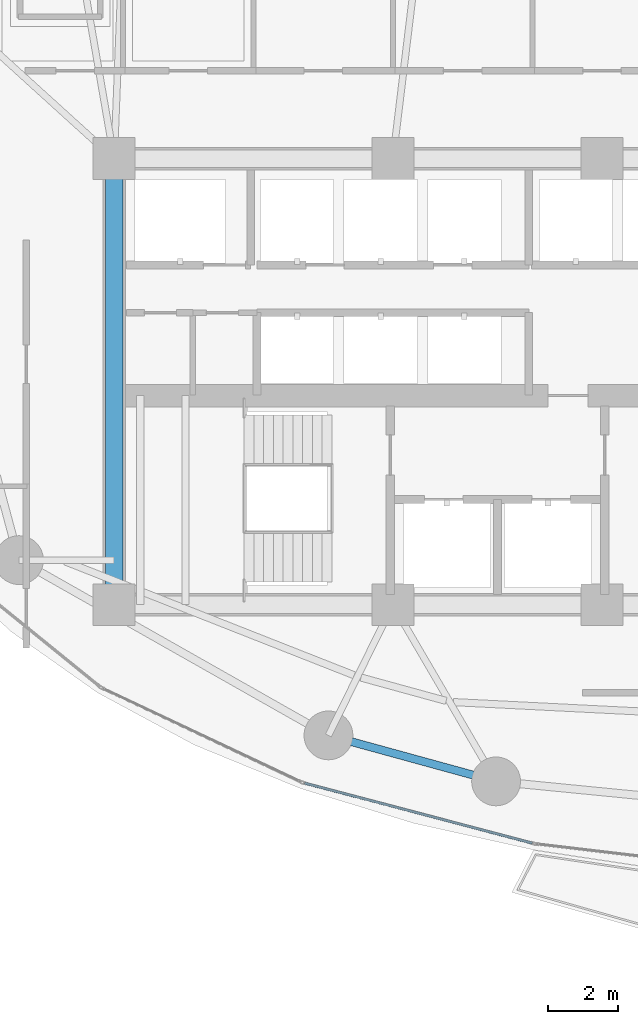
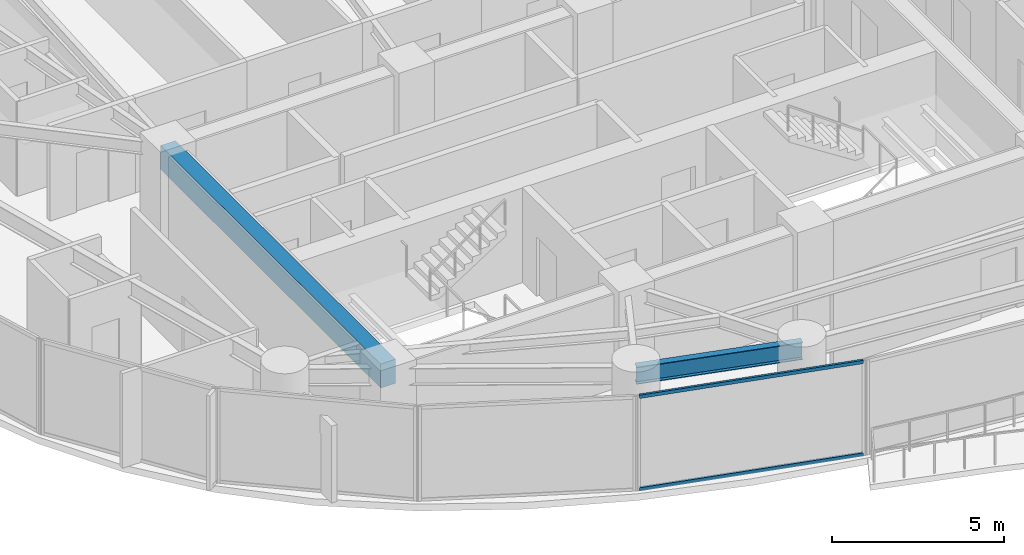
# One storey, part 4 of 31: 2 beams, 2 members, 1 element without a shape of its own.
"""IFC4 building model written with IfcOpenShell, lengths in metres."""

from ifc_helpers import new_model, si_unit, direction, frame, origin, origin_2d, place, context, subcontext, project, spatial, rectangle, hollow_rectangle, i_section, extrude, material, layer, layer_set, material_profile, profile_set, type_object, element, aggregate, save


model = new_model("IFC4")

# Units and contexts
model_context = context("Model", 3, precision=1e-05, world=origin(), true_north=direction((0.0, 1.0)))
body_context = subcontext(model_context, "Body", "Model", "MODEL_VIEW")
ifc_project = project(units=[si_unit("LENGTHUNIT", "METRE"), si_unit("AREAUNIT", "SQUARE_METRE"), si_unit("VOLUMEUNIT", "CUBIC_METRE"), si_unit("PLANEANGLEUNIT", "RADIAN"), si_unit("MASSUNIT", "GRAM", prefix="KILO")], contexts=[model_context])

# Site, building, storey
site_placement = place(None, origin())
site = spatial("IfcSite", under=ifc_project, at=site_placement, CompositionType="ELEMENT")
building_placement = place(site_placement, origin())
building = spatial("IfcBuilding", under=site, at=building_placement, Name="Kazevale Care Tower and Concert Hall", CompositionType="ELEMENT")
storey_placement = place(building_placement, frame((0.0, 0.0, 81.60009765625)))
storey = spatial("IfcBuildingStorey", under=building, at=storey_placement, Name="L21", CompositionType="ELEMENT", Elevation=81.60009765625)

# Curtain wall, members
ifc_material_1 = material(Name="Aluminium 6063-T6 and Low-E Glass", Category="aluminium")
ifc_layer = layer(ifc_material_1, 0.179931640625)
ifc_layer_set = layer_set([ifc_layer], Name="Aluminium 6063-T6 and Low-E Glass")
curtain_wall_type = type_object("IfcCurtainWallType", Name="Sheltered Concave Balcony Curtain Wall CW-5", PredefinedType="NOTDEFINED", material=ifc_layer_set)
curtain_wall_placement = place(storey_placement, origin())
curtain_wall = element("IfcCurtainWall", 1, at=curtain_wall_placement, inside=storey, type_object=curtain_wall_type, Name="cw:L21:f08", PredefinedType="NOTDEFINED")
ifc_material_2 = material(Name="Aluminium 6063-T6", Category="aluminium")
ifc_material_profile_1 = material_profile(ifc_material_2, hollow_rectangle(XDim=0.074951171875, YDim=0.1201171875, WallThickness=0.00390625, at=origin_2d()), Name="ALU75x120x4")
ifc_profile_set_1 = profile_set([ifc_material_profile_1], Name="Aluminium 6063-T6")
member_type = type_object("IfcMemberType", Name="CW-5 Transom ALU75x120x4", PredefinedType="USERDEFINED", material=ifc_profile_set_1)
member_1_placement = place(storey_placement, frame((33.995361328125, 16.760009765625, 0.037353515625), z_axis=(-0.966978405759, 0.254858319064, 0.0), x_axis=(-0.254858319064, -0.966978405759, 0.0)))
member_1 = element("IfcMember", 2, at=member_1_placement, type_object=member_type, Name="CW-5 transom 1.1", ObjectType="TRANSOM", PredefinedType="USERDEFINED", context=body_context, shape_type="SweptSolid", body=[
    extrude(hollow_rectangle(XDim=0.074951171875, YDim=0.1201171875, WallThickness=0.00390625, at=origin_2d()), origin(), (0.0, 0.0, 1.0), 6.748779296875),
])
member_2_placement = place(storey_placement, frame((33.995361328125, 16.760009765625, 3.322509765625), z_axis=(-0.966978405759, 0.254858319064, 0.0), x_axis=(-0.254858319064, -0.966978405759, 0.0)))
member_2 = element("IfcMember", 3, at=member_2_placement, type_object=member_type, Name="CW-5 transom 1.2", ObjectType="TRANSOM", PredefinedType="USERDEFINED", context=body_context, shape_type="SweptSolid", body=[
    extrude(hollow_rectangle(XDim=0.074951171875, YDim=0.1201171875, WallThickness=0.00390625, at=origin_2d()), origin(), (0.0, 0.0, 1.0), 6.748779296875),
])
aggregate(curtain_wall, [member_1, member_2])

# Beams
ifc_material_3 = material(Name="Concrete C60", Category="concrete")
ifc_material_profile_2 = material_profile(ifc_material_3, rectangle(XDim=0.5, YDim=0.85009765625, at=origin_2d()), Name="RC-B500x850")
ifc_profile_set_2 = profile_set([ifc_material_profile_2], Name="Concrete C60")
beam_type_1 = type_object("IfcBeamType", Name="Core Coupling Beam RC500x850", PredefinedType="LINTEL", material=ifc_profile_set_2)
beam_1_placement = place(storey_placement, frame((22.0, 36.39990234375, 2.934814453125), z_axis=(0.0, -1.0, 0.0), x_axis=(1.0, 0.0, 0.0)))
element("IfcBeam", 4, at=beam_1_placement, inside=storey, type_object=beam_type_1, Name="beam:L21:coretie:8", PredefinedType="LINTEL", context=body_context, shape_type="SweptSolid", body=[
    extrude(rectangle(XDim=0.5, YDim=0.85009765625, at=origin_2d()), origin(), (0.0, 0.0, 1.0), 12.7998046875),
])
ifc_material_4 = material(Name="Steel ASTM A572 Gr 50", Category="steel")
ifc_material_profile_3 = material_profile(ifc_material_4, i_section(OverallWidth=0.22900390625, OverallDepth=0.612060546875, WebThickness=0.011962890625, FlangeThickness=0.01953125, at=origin_2d()), Name="W610x125")
ifc_profile_set_3 = profile_set([ifc_material_profile_3], Name="Steel ASTM A572 Gr 50")
beam_type_2 = type_object("IfcBeamType", Name="Ring Spandrel Beam W610x125", PredefinedType="SPANDREL", material=ifc_profile_set_3)
beam_2_placement = place(storey_placement, frame((28.14990234375, 19.85009765625, 3.053955078125), z_axis=(0.964343540473, -0.264653615031, 0.0), x_axis=(0.264653615031, 0.964343540473, 0.0)))
element("IfcBeam", 5, at=beam_2_placement, inside=storey, type_object=beam_type_2, Name="beam:L21:ring:11", PredefinedType="SPANDREL", context=body_context, shape_type="SweptSolid", body=[
    extrude(i_section(OverallWidth=0.22900390625, OverallDepth=0.612060546875, WebThickness=0.011962890625, FlangeThickness=0.01953125, at=origin_2d()), origin(), (0.0, 0.0, 1.0), 4.98779296875),
])

save(model, "model.ifc")
